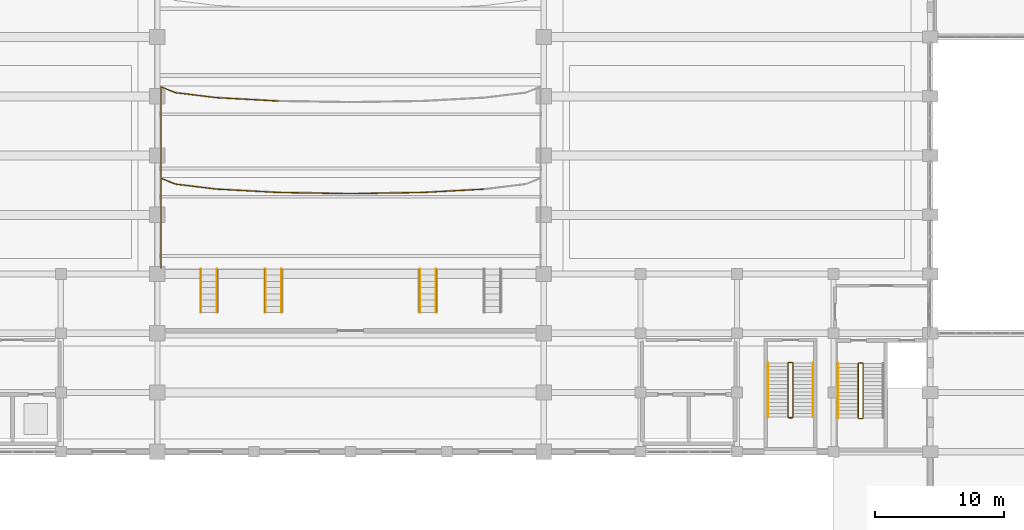
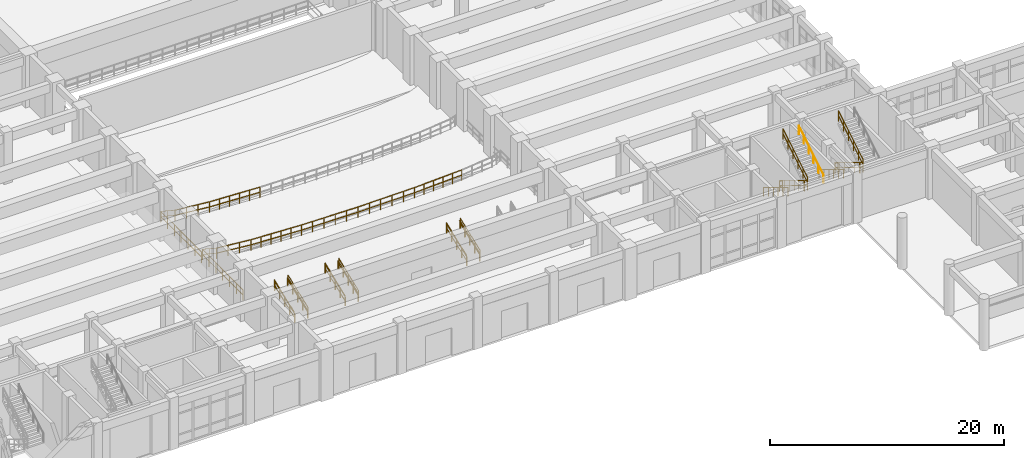
# One storey, part 78 of 84: 34 railings.
"""IFC4 building model written with IfcOpenShell, lengths in metres."""

import ifcopenshell
import ifcopenshell.guid

model = None  # the IFC model being written
_history = None  # IfcOwnerHistory: only IFC2X3 demands one
_inside = {}  # id of a spatial element -> (the spatial element, [elements in it])
_under = {}  # id of a project, library or spatial element -> (it, [spatial elements below it])
_declared = {}  # id of a project -> (the project, [libraries it declares])
_typed = {}  # id of a type object -> (the type object, [elements of that type])
_made_of = {}  # id of a material, layer set ... -> (it, [elements and type objects made of it])


def new_model(schema):
    """Start an empty IFC model of exactly this schema.

    Asked for "IFC4X3", IfcOpenShell would pick the latest addendum, in which some entities
    have other attributes; the version numbers below select the first issue.
    IFC2X3 requires an IfcOwnerHistory on every rooted entity: one is made here for all.
    """
    global model, _history
    if schema == "IFC4X3":
        model = ifcopenshell.file(schema_version=(4, 3, 0, 0))
    else:
        model = ifcopenshell.file(schema=schema)
    _inside.clear()
    _under.clear()
    _declared.clear()
    _typed.clear()
    _made_of.clear()
    _history = None
    if model.schema == "IFC2X3":
        org = make("IfcOrganization", Name="unknown")
        user = make(
            "IfcPersonAndOrganization",
            ThePerson=make("IfcPerson", FamilyName="unknown"),
            TheOrganization=org,
        )
        app = make(
            "IfcApplication",
            ApplicationDeveloper=org,
            Version="unknown",
            ApplicationFullName="unknown",
            ApplicationIdentifier="unknown",
        )
        _history = make(
            "IfcOwnerHistory",
            OwningUser=user,
            OwningApplication=app,
            ChangeAction="ADDED",
            CreationDate=0,
        )
    return model


def make(cls, **values):
    """One entity of the class cls with the attributes given. An attribute that is None is left unset."""
    return model.create_entity(
        cls, **{name: value for name, value in values.items() if value is not None}
    )


def rooted(cls, **values):
    """An entity with a GlobalId (a new one), such as an element, a storey or a relation."""
    return make(cls, GlobalId=ifcopenshell.guid.new(), OwnerHistory=_history, **values)


def si_unit(unit_type, name, prefix=None):
    """IfcSIUnit, for example si_unit("LENGTHUNIT", "METRE", prefix="MILLI")."""
    return make("IfcSIUnit", UnitType=unit_type, Prefix=prefix, Name=name)


def assignment(units):
    """IfcUnitAssignment: the units of a project."""
    return None if units is None else make("IfcUnitAssignment", Units=units)


def point(xyz):
    """IfcCartesianPoint."""
    return None if xyz is None else make("IfcCartesianPoint", Coordinates=xyz)


def direction(xyz):
    """IfcDirection."""
    return None if xyz is None else make("IfcDirection", DirectionRatios=xyz)


def frame(location, z_axis=None, x_axis=None):
    """IfcAxis2Placement3D, a coordinate frame: its origin and axes. An axis left out is left unset."""
    return make(
        "IfcAxis2Placement3D",
        Location=point(location),
        Axis=direction(z_axis),
        RefDirection=direction(x_axis),
    )


def frame_2d(location, x_axis=None):
    """IfcAxis2Placement2D, a coordinate frame in the plane: its origin and x axis."""
    return make(
        "IfcAxis2Placement2D", Location=point(location), RefDirection=direction(x_axis)
    )


def origin():
    """The frame at (0, 0, 0) with its axes left unset."""
    return frame((0.0, 0.0, 0.0))


def origin_2d():
    """The frame at (0, 0) in the plane with its x axis left unset."""
    return frame_2d((0.0, 0.0))


def place(relative_to, where):
    """IfcLocalPlacement: puts the frame where relative to a parent placement (None: the world)."""
    return make(
        "IfcLocalPlacement", PlacementRelTo=relative_to, RelativePlacement=where
    )


def context(
    kind, dimensions, precision=None, world=None, true_north=None, identifier=None
):
    """IfcGeometricRepresentationContext, for example the 3D "Model" context."""
    return make(
        "IfcGeometricRepresentationContext",
        ContextIdentifier=identifier,
        ContextType=kind,
        CoordinateSpaceDimension=dimensions,
        Precision=precision,
        WorldCoordinateSystem=world,
        TrueNorth=true_north,
    )


def subcontext(parent, identifier, kind, view, scale=None):
    """IfcGeometricRepresentationSubContext, for example "Body" below "Model"."""
    return make(
        "IfcGeometricRepresentationSubContext",
        ContextIdentifier=identifier,
        ContextType=kind,
        ParentContext=parent,
        TargetScale=scale,
        TargetView=view,
    )


def project(units=None, contexts=None):
    """IfcProject with its units and contexts."""
    return rooted(
        "IfcProject",
        Name="project",
        RepresentationContexts=contexts,
        UnitsInContext=assignment(units),
    )


def spatial(cls, under=None, at=None, **own):
    """A site, building, storey or space (cls), placed at a placement, below another one or the project."""
    s = rooted(cls, ObjectPlacement=at, **own)
    if under is not None:
        _under.setdefault(under.id(), (under, []))[1].append(s)
    return s


def profile(cls, at=None, kind="AREA", **sizes):
    """A parametric profile (cls). Its sizes go by their IFC names, for example OverallWidth=200.0."""
    return make(cls, ProfileType=kind, Position=at, **sizes)


def circle(**sizes):
    """IfcCircleProfileDef."""
    return profile("IfcCircleProfileDef", **sizes)


def extrude(swept, where, along, depth):
    """IfcExtrudedAreaSolid: the profile swept, set in the frame where, extruded along a direction by depth."""
    return make(
        "IfcExtrudedAreaSolid",
        SweptArea=swept,
        Position=where,
        ExtrudedDirection=direction(along),
        Depth=depth,
    )


def shape(context_of_items, identifier, shape_type, items):
    """IfcShapeRepresentation: the items that make up one representation, for example the "Body"."""
    return make(
        "IfcShapeRepresentation",
        ContextOfItems=context_of_items,
        RepresentationIdentifier=identifier,
        RepresentationType=shape_type,
        Items=items,
    )


def material(Name=None, Category=None):
    """IfcMaterial."""
    return make("IfcMaterial", Name=Name, Category=Category)


def made_of(thing, what):
    """Note that an element or type object is made of a material, layer set ...; save() writes the relation."""
    if what is not None:
        _made_of.setdefault(what.id(), (what, []))[1].append(thing)
    return thing


def type_object(cls, material=None, **own):
    """A type object (cls), such as IfcWallType, which elements share."""
    return made_of(rooted(cls, **own), material)


def element(
    cls,
    number,
    at=None,
    inside=None,
    cuts=None,
    type_object=None,
    material=None,
    context=None,
    identifier="Body",
    shape_type=None,
    held_by="IfcProductDefinitionShape",
    body=None,
    shapes=None,
    **own,
):
    """One element of the class cls, such as IfcWall. Its Tag is "e" and its number.

    at: its placement. inside: the storey or other place that contains it. cuts: it is an
    opening in that element (IfcRelVoidsElement). A single representation is given by context,
    identifier, shape_type and body (its items); several are given by shapes. held_by: the class
    of the entity that holds the representations. save() writes the other relations.
    """
    e = rooted(cls, Tag="e%d" % number, ObjectPlacement=at, **own)
    if body is not None:
        shapes = [shape(context, identifier, shape_type, body)]
    if shapes is not None:
        e.Representation = make(held_by, Representations=shapes)
    if inside is not None:
        _inside.setdefault(inside.id(), (inside, []))[1].append(e)
    if cuts is not None:
        rooted(
            "IfcRelVoidsElement", RelatingBuildingElement=cuts, RelatedOpeningElement=e
        )
    if type_object is not None:
        _typed.setdefault(type_object.id(), (type_object, []))[1].append(e)
    return made_of(e, material)


def aggregate(whole, parts):
    """IfcRelAggregates: a whole, such as a stair, and the parts it consists of."""
    return rooted("IfcRelAggregates", RelatingObject=whole, RelatedObjects=parts)


def save(model, path):
    """Write the relations noted so far, then the file.

    IfcRelAggregates (storeys below a building ...), IfcRelContainedInSpatialStructure (elements
    in a storey), IfcRelDefinesByType, IfcRelAssociatesMaterial and IfcRelDeclares: one each for
    every whole, place, type object, material and project.
    """
    for whole, parts in _under.values():
        aggregate(whole, parts)
    for where, things in _inside.values():
        rooted(
            "IfcRelContainedInSpatialStructure",
            RelatedElements=things,
            RelatingStructure=where,
        )
    for kind, things in _typed.values():
        rooted("IfcRelDefinesByType", RelatedObjects=things, RelatingType=kind)
    for what, things in _made_of.values():
        rooted("IfcRelAssociatesMaterial", RelatedObjects=things, RelatingMaterial=what)
    for by, libraries in _declared.values():
        rooted("IfcRelDeclares", RelatingContext=by, RelatedDefinitions=libraries)
    model.write(path)


model = new_model("IFC4")

# Units and contexts
model_context = context("Model", 3, precision=1e-05, world=origin(), true_north=direction((0.0, 1.0)))
body_context = subcontext(model_context, "Body", "Model", "MODEL_VIEW")
ifc_project = project(units=[si_unit("LENGTHUNIT", "METRE"), si_unit("AREAUNIT", "SQUARE_METRE"), si_unit("VOLUMEUNIT", "CUBIC_METRE"), si_unit("PLANEANGLEUNIT", "RADIAN"), si_unit("MASSUNIT", "GRAM", prefix="KILO")], contexts=[model_context])

# Site, building, storey
site_placement = place(None, origin())
site = spatial("IfcSite", under=ifc_project, at=site_placement, CompositionType="ELEMENT")
building_placement = place(site_placement, origin())
building = spatial("IfcBuilding", under=site, at=building_placement, Name="Muzn Square Opera House", CompositionType="ELEMENT")
storey_placement = place(building_placement, origin())
storey = spatial("IfcBuildingStorey", under=building, at=storey_placement, Name="L00", CompositionType="ELEMENT", Elevation=0.0)

# Railings
ifc_material_1 = material(Name="Architectural bronze mashrabiya", Category="metal")
railing_type_1 = type_object("IfcRailingType", Name="Bronze Protective Balustrade 1120mm", PredefinedType="BALUSTRADE", material=ifc_material_1)
railing_1_placement = place(storey_placement, frame((82.400146484375, 49.231201171875, 0.949951171875)))
element("IfcRailing", 1, at=railing_1_placement, inside=storey, type_object=railing_type_1, Name="Auditorium Balcony Tier Front Balustrade L00-0081", PredefinedType="BALUSTRADE", context=body_context, shape_type="SweptSolid", body=[
    extrude(circle(Radius=0.02392578125, at=origin_2d()), frame((0.0, 0.0, 1.09619140625), z_axis=(-0.998532339535, 0.054158719545, 0.0), x_axis=(-0.054158719545, -0.998532339535, 0.0)), (0.0, 0.0, 1.0), 4.805419921875),
    extrude(circle(Radius=0.02392578125, at=origin_2d()), frame((0.0, 0.0, 0.56005859375), z_axis=(-0.998532339535, 0.054158719545, 0.0), x_axis=(-0.054158719545, -0.998532339535, 0.0)), (0.0, 0.0, 1.0), 4.805419921875),
    extrude(circle(Radius=0.02099609375, at=origin_2d()), origin(), (0.0, 0.0, 1.0), 1.072021484375),
    extrude(circle(Radius=0.02099609375, at=origin_2d()), frame((-0.959716796875, 0.052001953125, 0.0)), (0.0, 0.0, 1.0), 1.072021484375),
    extrude(circle(Radius=0.02099609375, at=origin_2d()), frame((-1.91943359375, 0.10400390625, 0.0)), (0.0, 0.0, 1.0), 1.072021484375),
    extrude(circle(Radius=0.02099609375, at=origin_2d()), frame((-2.87890625, 0.15625, 0.0)), (0.0, 0.0, 1.0), 1.072021484375),
    extrude(circle(Radius=0.02099609375, at=origin_2d()), frame((-3.838623046875, 0.208251953125, 0.0)), (0.0, 0.0, 1.0), 1.072021484375),
    extrude(circle(Radius=0.02099609375, at=origin_2d()), frame((-4.79833984375, 0.26025390625, 0.0)), (0.0, 0.0, 1.0), 1.072021484375),
])
railing_2_placement = place(storey_placement, frame((77.601806640625, 49.491455078125, 0.949951171875)))
element("IfcRailing", 2, at=railing_2_placement, inside=storey, type_object=railing_type_1, Name="Auditorium Balcony Tier Front Balustrade L00-0082", PredefinedType="BALUSTRADE", context=body_context, shape_type="SweptSolid", body=[
    extrude(circle(Radius=0.02392578125, at=origin_2d()), frame((0.0, 0.0, 1.09619140625), z_axis=(-0.992704472677, 0.120572923692, 0.0), x_axis=(-0.120572923692, -0.992704472677, 0.0)), (0.0, 0.0, 1.0), 3.229736328125),
    extrude(circle(Radius=0.02392578125, at=origin_2d()), frame((0.0, 0.0, 0.56005859375), z_axis=(-0.992704472677, 0.120572923692, 0.0), x_axis=(-0.120572923692, -0.992704472677, 0.0)), (0.0, 0.0, 1.0), 3.229736328125),
    extrude(circle(Radius=0.02099609375, at=origin_2d()), origin(), (0.0, 0.0, 1.0), 1.072021484375),
    extrude(circle(Radius=0.02099609375, at=origin_2d()), frame((-1.068603515625, 0.1298828125, 0.0)), (0.0, 0.0, 1.0), 1.072021484375),
    extrude(circle(Radius=0.02099609375, at=origin_2d()), frame((-2.137451171875, 0.259521484375, 0.0)), (0.0, 0.0, 1.0), 1.072021484375),
    extrude(circle(Radius=0.02099609375, at=origin_2d()), frame((-3.2060546875, 0.389404296875, 0.0)), (0.0, 0.0, 1.0), 1.072021484375),
])
railing_3_placement = place(storey_placement, frame((74.395751953125, 49.880859375, 0.949951171875)))
element("IfcRailing", 3, at=railing_3_placement, inside=storey, type_object=railing_type_1, Name="Auditorium Balcony Tier Front Balustrade L00-0083", PredefinedType="BALUSTRADE", context=body_context, shape_type="SweptSolid", body=[
    extrude(circle(Radius=0.02392578125, at=origin_2d()), frame((0.0, 0.0, 1.09619140625), z_axis=(-0.925920751341, 0.377717834151, 0.0), x_axis=(-0.377717834151, -0.925920751341, 0.0)), (0.0, 0.0, 1.0), 1.2158203125),
    extrude(circle(Radius=0.02392578125, at=origin_2d()), frame((0.0, 0.0, 0.56005859375), z_axis=(-0.925920751341, 0.377717834151, 0.0), x_axis=(-0.377717834151, -0.925920751341, 0.0)), (0.0, 0.0, 1.0), 1.2158203125),
    extrude(circle(Radius=0.02099609375, at=origin_2d()), origin(), (0.0, 0.0, 1.0), 1.072021484375),
    extrude(circle(Radius=0.02099609375, at=origin_2d()), frame((-0.56298828125, 0.2294921875, 0.0)), (0.0, 0.0, 1.0), 1.072021484375),
    extrude(circle(Radius=0.02099609375, at=origin_2d()), frame((-1.125732421875, 0.459228515625, 0.0)), (0.0, 0.0, 1.0), 1.072021484375),
])
railing_4_placement = place(storey_placement, frame((73.27001953125, 50.340087890625, 0.949951171875)))
element("IfcRailing", 4, at=railing_4_placement, inside=storey, type_object=railing_type_1, Name="Auditorium Balcony Tier Front Balustrade L00-0084", PredefinedType="BALUSTRADE", context=body_context, shape_type="SweptSolid", body=[
    extrude(circle(Radius=0.02392578125, at=origin_2d()), frame((0.0, 0.0, 1.09619140625), z_axis=(0.0, -1.0, 0.0), x_axis=(1.0, 0.0, 0.0)), (0.0, 0.0, 1.0), 6.97998046875),
    extrude(circle(Radius=0.02392578125, at=origin_2d()), frame((0.0, 0.0, 0.56005859375), z_axis=(0.0, -1.0, 0.0), x_axis=(1.0, 0.0, 0.0)), (0.0, 0.0, 1.0), 6.97998046875),
    extrude(circle(Radius=0.02099609375, at=origin_2d()), origin(), (0.0, 0.0, 1.0), 1.072021484375),
    extrude(circle(Radius=0.02099609375, at=origin_2d()), frame((0.0, -1.163330078125, 0.0)), (0.0, 0.0, 1.0), 1.072021484375),
    extrude(circle(Radius=0.02099609375, at=origin_2d()), frame((0.0, -2.32666015625, 0.0)), (0.0, 0.0, 1.0), 1.072021484375),
    extrude(circle(Radius=0.02099609375, at=origin_2d()), frame((0.0, -3.489990234375, 0.0)), (0.0, 0.0, 1.0), 1.072021484375),
    extrude(circle(Radius=0.02099609375, at=origin_2d()), frame((0.0, -4.6533203125, 0.0)), (0.0, 0.0, 1.0), 1.072021484375),
    extrude(circle(Radius=0.02099609375, at=origin_2d()), frame((0.0, -5.816650390625, 0.0)), (0.0, 0.0, 1.0), 1.072021484375),
    extrude(circle(Radius=0.02099609375, at=origin_2d()), frame((0.0, -6.97998046875, 0.0)), (0.0, 0.0, 1.0), 1.072021484375),
])
railing_5_placement = place(storey_placement, frame((98.398193359375, 42.3916015625, 1.300048828125)))
element("IfcRailing", 5, at=railing_5_placement, inside=storey, type_object=railing_type_1, Name="Auditorium Balcony Tier Front Balustrade L00-0088", PredefinedType="BALUSTRADE", context=body_context, shape_type="SweptSolid", body=[
    extrude(circle(Radius=0.02392578125, at=origin_2d()), frame((0.0, 0.0, 1.09619140625), z_axis=(-0.998532339535, -0.054158719545, 0.0), x_axis=(0.054158719545, -0.998532339535, 0.0)), (0.0, 0.0, 1.0), 4.805419921875),
    extrude(circle(Radius=0.02392578125, at=origin_2d()), frame((0.0, 0.0, 0.56005859375), z_axis=(-0.998532339535, -0.054158719545, 0.0), x_axis=(0.054158719545, -0.998532339535, 0.0)), (0.0, 0.0, 1.0), 4.805419921875),
    extrude(circle(Radius=0.02099609375, at=origin_2d()), origin(), (0.0, 0.0, 1.0), 1.072021484375),
    extrude(circle(Radius=0.02099609375, at=origin_2d()), frame((-0.959716796875, -0.052001953125, 0.0)), (0.0, 0.0, 1.0), 1.072021484375),
    extrude(circle(Radius=0.02099609375, at=origin_2d()), frame((-1.91943359375, -0.10400390625, 0.0)), (0.0, 0.0, 1.0), 1.072021484375),
    extrude(circle(Radius=0.02099609375, at=origin_2d()), frame((-2.87890625, -0.15625, 0.0)), (0.0, 0.0, 1.0), 1.072021484375),
    extrude(circle(Radius=0.02099609375, at=origin_2d()), frame((-3.838623046875, -0.208251953125, 0.0)), (0.0, 0.0, 1.0), 1.072021484375),
    extrude(circle(Radius=0.02099609375, at=origin_2d()), frame((-4.79833984375, -0.26025390625, 0.0)), (0.0, 0.0, 1.0), 1.072021484375),
])
railing_6_placement = place(storey_placement, frame((93.599853515625, 42.13134765625, 1.300048828125)))
element("IfcRailing", 6, at=railing_6_placement, inside=storey, type_object=railing_type_1, Name="Auditorium Balcony Tier Front Balustrade L00-0089", PredefinedType="BALUSTRADE", context=body_context, shape_type="SweptSolid", body=[
    extrude(circle(Radius=0.02392578125, at=origin_2d()), frame((0.0, 0.0, 1.09619140625), z_axis=(-0.999869896441, -0.016130411995, 0.0), x_axis=(0.016130411995, -0.999869896441, 0.0)), (0.0, 0.0, 1.0), 5.66064453125),
    extrude(circle(Radius=0.02392578125, at=origin_2d()), frame((0.0, 0.0, 0.56005859375), z_axis=(-0.999869896441, -0.016130411995, 0.0), x_axis=(0.016130411995, -0.999869896441, 0.0)), (0.0, 0.0, 1.0), 5.66064453125),
    extrude(circle(Radius=0.02099609375, at=origin_2d()), origin(), (0.0, 0.0, 1.0), 1.072021484375),
    extrude(circle(Radius=0.02099609375, at=origin_2d()), frame((-1.132080078125, -0.018310546875, 0.0)), (0.0, 0.0, 1.0), 1.072021484375),
    extrude(circle(Radius=0.02099609375, at=origin_2d()), frame((-2.263916015625, -0.03662109375, 0.0)), (0.0, 0.0, 1.0), 1.072021484375),
    extrude(circle(Radius=0.02099609375, at=origin_2d()), frame((-3.39599609375, -0.0546875, 0.0)), (0.0, 0.0, 1.0), 1.072021484375),
    extrude(circle(Radius=0.02099609375, at=origin_2d()), frame((-4.52783203125, -0.072998046875, 0.0)), (0.0, 0.0, 1.0), 1.072021484375),
    extrude(circle(Radius=0.02099609375, at=origin_2d()), frame((-5.659912109375, -0.09130859375, 0.0)), (0.0, 0.0, 1.0), 1.072021484375),
])
railing_7_placement = place(storey_placement, frame((87.93994140625, 42.0400390625, 1.300048828125)))
element("IfcRailing", 7, at=railing_7_placement, inside=storey, type_object=railing_type_1, Name="Auditorium Balcony Tier Front Balustrade L00-0090", PredefinedType="BALUSTRADE", context=body_context, shape_type="SweptSolid", body=[
    extrude(circle(Radius=0.02392578125, at=origin_2d()), frame((0.0, 0.0, 1.09619140625), z_axis=(-0.999864194468, 0.016480067372, 0.0), x_axis=(-0.016480067372, -0.999864194468, 0.0)), (0.0, 0.0, 1.0), 5.54052734375),
    extrude(circle(Radius=0.02392578125, at=origin_2d()), frame((0.0, 0.0, 0.56005859375), z_axis=(-0.999864194468, 0.016480067372, 0.0), x_axis=(-0.016480067372, -0.999864194468, 0.0)), (0.0, 0.0, 1.0), 5.54052734375),
    extrude(circle(Radius=0.02099609375, at=origin_2d()), origin(), (0.0, 0.0, 1.0), 1.072021484375),
    extrude(circle(Radius=0.02099609375, at=origin_2d()), frame((-1.10791015625, 0.018310546875, 0.0)), (0.0, 0.0, 1.0), 1.072021484375),
    extrude(circle(Radius=0.02099609375, at=origin_2d()), frame((-2.2158203125, 0.03662109375, 0.0)), (0.0, 0.0, 1.0), 1.072021484375),
    extrude(circle(Radius=0.02099609375, at=origin_2d()), frame((-3.323974609375, 0.0546875, 0.0)), (0.0, 0.0, 1.0), 1.072021484375),
    extrude(circle(Radius=0.02099609375, at=origin_2d()), frame((-4.431884765625, 0.072998046875, 0.0)), (0.0, 0.0, 1.0), 1.072021484375),
    extrude(circle(Radius=0.02099609375, at=origin_2d()), frame((-5.539794921875, 0.09130859375, 0.0)), (0.0, 0.0, 1.0), 1.072021484375),
])
railing_8_placement = place(storey_placement, frame((82.400146484375, 42.13134765625, 1.300048828125)))
element("IfcRailing", 8, at=railing_8_placement, inside=storey, type_object=railing_type_1, Name="Auditorium Balcony Tier Front Balustrade L00-0091", PredefinedType="BALUSTRADE", context=body_context, shape_type="SweptSolid", body=[
    extrude(circle(Radius=0.02392578125, at=origin_2d()), frame((0.0, 0.0, 1.09619140625), z_axis=(-0.998532339535, 0.054158719545, 0.0), x_axis=(-0.054158719545, -0.998532339535, 0.0)), (0.0, 0.0, 1.0), 4.805419921875),
    extrude(circle(Radius=0.02392578125, at=origin_2d()), frame((0.0, 0.0, 0.56005859375), z_axis=(-0.998532339535, 0.054158719545, 0.0), x_axis=(-0.054158719545, -0.998532339535, 0.0)), (0.0, 0.0, 1.0), 4.805419921875),
    extrude(circle(Radius=0.02099609375, at=origin_2d()), origin(), (0.0, 0.0, 1.0), 1.072021484375),
    extrude(circle(Radius=0.02099609375, at=origin_2d()), frame((-0.959716796875, 0.052001953125, 0.0)), (0.0, 0.0, 1.0), 1.072021484375),
    extrude(circle(Radius=0.02099609375, at=origin_2d()), frame((-1.91943359375, 0.10400390625, 0.0)), (0.0, 0.0, 1.0), 1.072021484375),
    extrude(circle(Radius=0.02099609375, at=origin_2d()), frame((-2.87890625, 0.15625, 0.0)), (0.0, 0.0, 1.0), 1.072021484375),
    extrude(circle(Radius=0.02099609375, at=origin_2d()), frame((-3.838623046875, 0.208251953125, 0.0)), (0.0, 0.0, 1.0), 1.072021484375),
    extrude(circle(Radius=0.02099609375, at=origin_2d()), frame((-4.79833984375, 0.26025390625, 0.0)), (0.0, 0.0, 1.0), 1.072021484375),
])
railing_9_placement = place(storey_placement, frame((77.601806640625, 42.3916015625, 1.300048828125)))
element("IfcRailing", 9, at=railing_9_placement, inside=storey, type_object=railing_type_1, Name="Auditorium Balcony Tier Front Balustrade L00-0092", PredefinedType="BALUSTRADE", context=body_context, shape_type="SweptSolid", body=[
    extrude(circle(Radius=0.02392578125, at=origin_2d()), frame((0.0, 0.0, 1.09619140625), z_axis=(-0.992713518095, 0.120498427341, 0.0), x_axis=(-0.120498427341, -0.992713518095, 0.0)), (0.0, 0.0, 1.0), 3.2294921875),
    extrude(circle(Radius=0.02392578125, at=origin_2d()), frame((0.0, 0.0, 0.56005859375), z_axis=(-0.992713518095, 0.120498427341, 0.0), x_axis=(-0.120498427341, -0.992713518095, 0.0)), (0.0, 0.0, 1.0), 3.2294921875),
    extrude(circle(Radius=0.02099609375, at=origin_2d()), origin(), (0.0, 0.0, 1.0), 1.072021484375),
    extrude(circle(Radius=0.02099609375, at=origin_2d()), frame((-1.068603515625, 0.129638671875, 0.0)), (0.0, 0.0, 1.0), 1.072021484375),
    extrude(circle(Radius=0.02099609375, at=origin_2d()), frame((-2.137451171875, 0.259521484375, 0.0)), (0.0, 0.0, 1.0), 1.072021484375),
    extrude(circle(Radius=0.02099609375, at=origin_2d()), frame((-3.2060546875, 0.38916015625, 0.0)), (0.0, 0.0, 1.0), 1.072021484375),
])
railing_10_placement = place(storey_placement, frame((74.395751953125, 42.78076171875, 1.300048828125)))
element("IfcRailing", 10, at=railing_10_placement, inside=storey, type_object=railing_type_1, Name="Auditorium Balcony Tier Front Balustrade L00-0093", PredefinedType="BALUSTRADE", context=body_context, shape_type="SweptSolid", body=[
    extrude(circle(Radius=0.02392578125, at=origin_2d()), frame((0.0, 0.0, 1.09619140625), z_axis=(-0.925920751341, 0.377717834151, 0.0), x_axis=(-0.377717834151, -0.925920751341, 0.0)), (0.0, 0.0, 1.0), 1.2158203125),
    extrude(circle(Radius=0.02392578125, at=origin_2d()), frame((0.0, 0.0, 0.56005859375), z_axis=(-0.925920751341, 0.377717834151, 0.0), x_axis=(-0.377717834151, -0.925920751341, 0.0)), (0.0, 0.0, 1.0), 1.2158203125),
    extrude(circle(Radius=0.02099609375, at=origin_2d()), origin(), (0.0, 0.0, 1.0), 1.072021484375),
    extrude(circle(Radius=0.02099609375, at=origin_2d()), frame((-0.56298828125, 0.2294921875, 0.0)), (0.0, 0.0, 1.0), 1.072021484375),
    extrude(circle(Radius=0.02099609375, at=origin_2d()), frame((-1.125732421875, 0.459228515625, 0.0)), (0.0, 0.0, 1.0), 1.072021484375),
])
railing_11_placement = place(storey_placement, frame((73.27001953125, 43.239990234375, 1.300048828125)))
element("IfcRailing", 11, at=railing_11_placement, inside=storey, type_object=railing_type_1, Name="Auditorium Balcony Tier Front Balustrade L00-0094", PredefinedType="BALUSTRADE", context=body_context, shape_type="SweptSolid", body=[
    extrude(circle(Radius=0.02392578125, at=origin_2d()), frame((0.0, 0.0, 1.09619140625), z_axis=(0.0, -1.0, 0.0), x_axis=(1.0, 0.0, 0.0)), (0.0, 0.0, 1.0), 6.97998046875),
    extrude(circle(Radius=0.02392578125, at=origin_2d()), frame((0.0, 0.0, 0.56005859375), z_axis=(0.0, -1.0, 0.0), x_axis=(1.0, 0.0, 0.0)), (0.0, 0.0, 1.0), 6.97998046875),
    extrude(circle(Radius=0.02099609375, at=origin_2d()), origin(), (0.0, 0.0, 1.0), 1.072021484375),
    extrude(circle(Radius=0.02099609375, at=origin_2d()), frame((0.0, -1.163330078125, 0.0)), (0.0, 0.0, 1.0), 1.072021484375),
    extrude(circle(Radius=0.02099609375, at=origin_2d()), frame((0.0, -2.32666015625, 0.0)), (0.0, 0.0, 1.0), 1.072021484375),
    extrude(circle(Radius=0.02099609375, at=origin_2d()), frame((0.0, -3.489990234375, 0.0)), (0.0, 0.0, 1.0), 1.072021484375),
    extrude(circle(Radius=0.02099609375, at=origin_2d()), frame((0.0, -4.6533203125, 0.0)), (0.0, 0.0, 1.0), 1.072021484375),
    extrude(circle(Radius=0.02099609375, at=origin_2d()), frame((0.0, -5.816650390625, 0.0)), (0.0, 0.0, 1.0), 1.072021484375),
    extrude(circle(Radius=0.02099609375, at=origin_2d()), frame((0.0, -6.97998046875, 0.0)), (0.0, 0.0, 1.0), 1.072021484375),
])
ifc_material_2 = material(Name="Brushed stainless steel", Category="metal")
railing_type_2 = type_object("IfcRailingType", Name="Stair Guard Railing 1120mm", PredefinedType="GUARDRAIL", material=ifc_material_2)
railing_12_placement = place(storey_placement, frame((127.409912109375, 28.840087890625, 0.168701171875)))
element("IfcRailing", 12, at=railing_12_placement, inside=storey, type_object=railing_type_2, Name="L00 ST-4 stair guard 1", PredefinedType="GUARDRAIL", context=body_context, shape_type="SweptSolid", body=[
    extrude(circle(Radius=0.02392578125, at=origin_2d()), frame((0.0, 0.0, 1.076171875), z_axis=(0.0, -0.856489757249, 0.516164020179), x_axis=(1.0, 0.0, 0.0)), (0.0, 0.0, 1.0), 4.904052734375),
    extrude(circle(Radius=0.02392578125, at=origin_2d()), frame((0.0, 0.0, 0.550048828125), z_axis=(0.0, -0.856489757249, 0.516164020179), x_axis=(1.0, 0.0, 0.0)), (0.0, 0.0, 1.0), 4.904052734375),
    extrude(circle(Radius=0.02099609375, at=origin_2d()), origin(), (0.0, 0.0, 1.0), 1.052001953125),
    extrude(circle(Radius=0.02099609375, at=origin_2d()), frame((0.0, -0.840087890625, 0.50634765625)), (0.0, 0.0, 1.0), 1.052001953125),
    extrude(circle(Radius=0.02099609375, at=origin_2d()), frame((0.0, -1.68017578125, 1.012451171875)), (0.0, 0.0, 1.0), 1.052001953125),
    extrude(circle(Radius=0.02099609375, at=origin_2d()), frame((0.0, -2.52001953125, 1.518798828125)), (0.0, 0.0, 1.0), 1.052001953125),
    extrude(circle(Radius=0.02099609375, at=origin_2d()), frame((0.0, -3.360107421875, 2.02490234375)), (0.0, 0.0, 1.0), 1.052001953125),
    extrude(circle(Radius=0.02099609375, at=origin_2d()), frame((0.0, -4.2001953125, 2.53125)), (0.0, 0.0, 1.0), 1.052001953125),
])
railing_13_placement = place(storey_placement, frame((127.4599609375, 24.590087890625, 2.699951171875)))
element("IfcRailing", 13, at=railing_13_placement, inside=storey, type_object=railing_type_2, Name="L00 ST-4 stair guard 2", PredefinedType="GUARDRAIL", context=body_context, shape_type="SweptSolid", body=[
    extrude(circle(Radius=0.02392578125, at=origin_2d()), frame((0.0, 0.0, 1.076171875), z_axis=(1.0, 0.0, 0.0), x_axis=(0.0, 1.0, 0.0)), (0.0, 0.0, 1.0), 0.280029296875),
    extrude(circle(Radius=0.02392578125, at=origin_2d()), frame((0.0, 0.0, 0.550048828125), z_axis=(1.0, 0.0, 0.0), x_axis=(0.0, 1.0, 0.0)), (0.0, 0.0, 1.0), 0.280029296875),
    extrude(circle(Radius=0.02099609375, at=origin_2d()), origin(), (0.0, 0.0, 1.0), 1.052001953125),
    extrude(circle(Radius=0.02099609375, at=origin_2d()), frame((0.280029296875, 0.0, 0.0)), (0.0, 0.0, 1.0), 1.052001953125),
])
railing_14_placement = place(storey_placement, frame((127.7900390625, 24.639892578125, 2.86865234375)))
element("IfcRailing", 14, at=railing_14_placement, inside=storey, type_object=railing_type_2, Name="L00 ST-4 stair guard 3", PredefinedType="GUARDRAIL", context=body_context, shape_type="SweptSolid", body=[
    extrude(circle(Radius=0.02392578125, at=origin_2d()), frame((0.0, 0.0, 1.076171875), z_axis=(0.0, 0.856489757249, 0.516164020179), x_axis=(-1.0, 0.0, 0.0)), (0.0, 0.0, 1.0), 4.904052734375),
    extrude(circle(Radius=0.02392578125, at=origin_2d()), frame((0.0, 0.0, 0.550048828125), z_axis=(0.0, 0.856489757249, 0.516164020179), x_axis=(-1.0, 0.0, 0.0)), (0.0, 0.0, 1.0), 4.904052734375),
    extrude(circle(Radius=0.02099609375, at=origin_2d()), origin(), (0.0, 0.0, 1.0), 1.052001953125),
    extrude(circle(Radius=0.02099609375, at=origin_2d()), frame((0.0, 0.840087890625, 0.50634765625)), (0.0, 0.0, 1.0), 1.052001953125),
    extrude(circle(Radius=0.02099609375, at=origin_2d()), frame((0.0, 1.68017578125, 1.012451171875)), (0.0, 0.0, 1.0), 1.052001953125),
    extrude(circle(Radius=0.02099609375, at=origin_2d()), frame((0.0, 2.52001953125, 1.518798828125)), (0.0, 0.0, 1.0), 1.052001953125),
    extrude(circle(Radius=0.02099609375, at=origin_2d()), frame((0.0, 3.360107421875, 2.02490234375)), (0.0, 0.0, 1.0), 1.052001953125),
    extrude(circle(Radius=0.02099609375, at=origin_2d()), frame((0.0, 4.2001953125, 2.53125)), (0.0, 0.0, 1.0), 1.052001953125),
])
railing_15_placement = place(storey_placement, frame((127.4599609375, 28.889892578125, 0.0)))
element("IfcRailing", 15, at=railing_15_placement, inside=storey, type_object=railing_type_2, Name="L00 ST-4 stair guard 4", PredefinedType="GUARDRAIL", context=body_context, shape_type="SweptSolid", body=[
    extrude(circle(Radius=0.02392578125, at=origin_2d()), frame((0.0, 0.0, 1.076171875), z_axis=(1.0, 0.0, 0.0), x_axis=(0.0, 1.0, 0.0)), (0.0, 0.0, 1.0), 0.280029296875),
    extrude(circle(Radius=0.02392578125, at=origin_2d()), frame((0.0, 0.0, 0.550048828125), z_axis=(1.0, 0.0, 0.0), x_axis=(0.0, 1.0, 0.0)), (0.0, 0.0, 1.0), 0.280029296875),
    extrude(circle(Radius=0.02099609375, at=origin_2d()), origin(), (0.0, 0.0, 1.0), 1.052001953125),
    extrude(circle(Radius=0.02099609375, at=origin_2d()), frame((0.280029296875, 0.0, 0.0)), (0.0, 0.0, 1.0), 1.052001953125),
])
railing_16_placement = place(storey_placement, frame((121.9599609375, 28.889892578125, 0.168701171875)))
element("IfcRailing", 16, at=railing_16_placement, inside=storey, type_object=railing_type_2, Name="L00 ST-12 stair guard 1", PredefinedType="GUARDRAIL", context=body_context, shape_type="SweptSolid", body=[
    extrude(circle(Radius=0.02392578125, at=origin_2d()), frame((0.0, 0.0, 1.076171875), z_axis=(0.0, -0.856476492594, 0.516186030065), x_axis=(1.0, 0.0, 0.0)), (0.0, 0.0, 1.0), 4.90380859375),
    extrude(circle(Radius=0.02392578125, at=origin_2d()), frame((0.0, 0.0, 0.550048828125), z_axis=(0.0, -0.856476492594, 0.516186030065), x_axis=(1.0, 0.0, 0.0)), (0.0, 0.0, 1.0), 4.90380859375),
    extrude(circle(Radius=0.02099609375, at=origin_2d()), origin(), (0.0, 0.0, 1.0), 1.052001953125),
    extrude(circle(Radius=0.02099609375, at=origin_2d()), frame((0.0, -0.840087890625, 0.50634765625)), (0.0, 0.0, 1.0), 1.052001953125),
    extrude(circle(Radius=0.02099609375, at=origin_2d()), frame((0.0, -1.679931640625, 1.012451171875)), (0.0, 0.0, 1.0), 1.052001953125),
    extrude(circle(Radius=0.02099609375, at=origin_2d()), frame((0.0, -2.52001953125, 1.518798828125)), (0.0, 0.0, 1.0), 1.052001953125),
    extrude(circle(Radius=0.02099609375, at=origin_2d()), frame((0.0, -3.35986328125, 2.02490234375)), (0.0, 0.0, 1.0), 1.052001953125),
    extrude(circle(Radius=0.02099609375, at=origin_2d()), frame((0.0, -4.199951171875, 2.53125)), (0.0, 0.0, 1.0), 1.052001953125),
])
railing_17_placement = place(storey_placement, frame((122.010009765625, 24.639892578125, 2.699951171875)))
element("IfcRailing", 17, at=railing_17_placement, inside=storey, type_object=railing_type_2, Name="L00 ST-12 stair guard 2", PredefinedType="GUARDRAIL", context=body_context, shape_type="SweptSolid", body=[
    extrude(circle(Radius=0.02392578125, at=origin_2d()), frame((0.0, 0.0, 1.076171875), z_axis=(1.0, 0.0, 0.0), x_axis=(0.0, 1.0, 0.0)), (0.0, 0.0, 1.0), 0.280029296875),
    extrude(circle(Radius=0.02392578125, at=origin_2d()), frame((0.0, 0.0, 0.550048828125), z_axis=(1.0, 0.0, 0.0), x_axis=(0.0, 1.0, 0.0)), (0.0, 0.0, 1.0), 0.280029296875),
    extrude(circle(Radius=0.02099609375, at=origin_2d()), origin(), (0.0, 0.0, 1.0), 1.052001953125),
    extrude(circle(Radius=0.02099609375, at=origin_2d()), frame((0.280029296875, 0.0, 0.0)), (0.0, 0.0, 1.0), 1.052001953125),
])
railing_18_placement = place(storey_placement, frame((122.340087890625, 24.68994140625, 2.86865234375)))
element("IfcRailing", 18, at=railing_18_placement, inside=storey, type_object=railing_type_2, Name="L00 ST-12 stair guard 3", PredefinedType="GUARDRAIL", context=body_context, shape_type="SweptSolid", body=[
    extrude(circle(Radius=0.02392578125, at=origin_2d()), frame((0.0, 0.0, 1.076171875), z_axis=(0.0, 0.856476492594, 0.516186030065), x_axis=(-1.0, 0.0, 0.0)), (0.0, 0.0, 1.0), 4.90380859375),
    extrude(circle(Radius=0.02392578125, at=origin_2d()), frame((0.0, 0.0, 0.550048828125), z_axis=(0.0, 0.856476492594, 0.516186030065), x_axis=(-1.0, 0.0, 0.0)), (0.0, 0.0, 1.0), 4.90380859375),
    extrude(circle(Radius=0.02099609375, at=origin_2d()), origin(), (0.0, 0.0, 1.0), 1.052001953125),
    extrude(circle(Radius=0.02099609375, at=origin_2d()), frame((0.0, 0.840087890625, 0.50634765625)), (0.0, 0.0, 1.0), 1.052001953125),
    extrude(circle(Radius=0.02099609375, at=origin_2d()), frame((0.0, 1.679931640625, 1.012451171875)), (0.0, 0.0, 1.0), 1.052001953125),
    extrude(circle(Radius=0.02099609375, at=origin_2d()), frame((0.0, 2.52001953125, 1.518798828125)), (0.0, 0.0, 1.0), 1.052001953125),
    extrude(circle(Radius=0.02099609375, at=origin_2d()), frame((0.0, 3.35986328125, 2.02490234375)), (0.0, 0.0, 1.0), 1.052001953125),
    extrude(circle(Radius=0.02099609375, at=origin_2d()), frame((0.0, 4.199951171875, 2.53125)), (0.0, 0.0, 1.0), 1.052001953125),
])
railing_19_placement = place(storey_placement, frame((122.010009765625, 28.93994140625, 0.0)))
element("IfcRailing", 19, at=railing_19_placement, inside=storey, type_object=railing_type_2, Name="L00 ST-12 stair guard 4", PredefinedType="GUARDRAIL", context=body_context, shape_type="SweptSolid", body=[
    extrude(circle(Radius=0.02392578125, at=origin_2d()), frame((0.0, 0.0, 1.076171875), z_axis=(1.0, 0.0, 0.0), x_axis=(0.0, 1.0, 0.0)), (0.0, 0.0, 1.0), 0.280029296875),
    extrude(circle(Radius=0.02392578125, at=origin_2d()), frame((0.0, 0.0, 0.550048828125), z_axis=(1.0, 0.0, 0.0), x_axis=(0.0, 1.0, 0.0)), (0.0, 0.0, 1.0), 0.280029296875),
    extrude(circle(Radius=0.02099609375, at=origin_2d()), origin(), (0.0, 0.0, 1.0), 1.052001953125),
    extrude(circle(Radius=0.02099609375, at=origin_2d()), frame((0.280029296875, 0.0, 0.0)), (0.0, 0.0, 1.0), 1.052001953125),
])
for number, where, name in (
    (20, (76.320068359375, 32.800048828125, 0.0), "Vomitory Stair Guard VS-01-L"),
    (21, (77.679931640625, 32.800048828125, 0.0), "Vomitory Stair Guard VS-01-R"),
    (22, (81.320068359375, 32.800048828125, 0.0), "Vomitory Stair Guard VS-02-L"),
    (23, (82.679931640625, 32.800048828125, 0.0), "Vomitory Stair Guard VS-02-R"),
    (24, (93.320068359375, 32.800048828125, 0.0), "Vomitory Stair Guard VS-03-L"),
    (25, (94.679931640625, 32.800048828125, 0.0), "Vomitory Stair Guard VS-03-R"),
):
    element("IfcRailing", number, at=place(storey_placement, frame(where)), inside=storey, type_object=railing_type_2, Name=name, PredefinedType="GUARDRAIL", context=body_context, shape_type="SweptSolid", body=[
        extrude(circle(Radius=0.02392578125, at=origin_2d()), frame((0.0, 0.0, 1.09619140625), z_axis=(0.0, 0.93404393785, 0.357158119277), x_axis=(-1.0, 0.0, 0.0)), (0.0, 0.0, 1.0), 3.639892578125),
        extrude(circle(Radius=0.02392578125, at=origin_2d()), frame((0.0, 0.0, 0.56005859375), z_axis=(0.0, 0.93404393785, 0.357158119277), x_axis=(-1.0, 0.0, 0.0)), (0.0, 0.0, 1.0), 3.639892578125),
        extrude(circle(Radius=0.02099609375, at=origin_2d()), origin(), (0.0, 0.0, 1.0), 1.072021484375),
        extrude(circle(Radius=0.02099609375, at=origin_2d()), frame((0.0, 0.85009765625, 0.324951171875)), (0.0, 0.0, 1.0), 1.072021484375),
        extrude(circle(Radius=0.02099609375, at=origin_2d()), frame((0.0, 1.699951171875, 0.64990234375)), (0.0, 0.0, 1.0), 1.072021484375),
        extrude(circle(Radius=0.02099609375, at=origin_2d()), frame((0.0, 2.5498046875, 0.97509765625)), (0.0, 0.0, 1.0), 1.072021484375),
        extrude(circle(Radius=0.02099609375, at=origin_2d()), frame((0.0, 3.39990234375, 1.300048828125)), (0.0, 0.0, 1.0), 1.072021484375),
    ])
railing_type_3 = type_object("IfcRailingType", Name="Stair Pitch Handrail 900mm", PredefinedType="HANDRAIL", material=ifc_material_2)
railing_20_placement = place(storey_placement, frame((125.85009765625, 28.840087890625, 0.168701171875)))
element("IfcRailing", 26, at=railing_20_placement, inside=storey, type_object=railing_type_3, Name="L00 ST-4 stair handrail 1", PredefinedType="HANDRAIL", context=body_context, shape_type="SweptSolid", body=[
    extrude(circle(Radius=0.02392578125, at=origin_2d()), frame((0.0, 0.0, 0.8759765625), z_axis=(0.0, -0.856489757249, 0.516164020179), x_axis=(1.0, 0.0, 0.0)), (0.0, 0.0, 1.0), 4.904052734375),
    extrude(circle(Radius=0.02099609375, at=origin_2d()), origin(), (0.0, 0.0, 1.0), 0.851806640625),
    extrude(circle(Radius=0.02099609375, at=origin_2d()), frame((0.0, -0.840087890625, 0.50634765625)), (0.0, 0.0, 1.0), 0.851806640625),
    extrude(circle(Radius=0.02099609375, at=origin_2d()), frame((0.0, -1.68017578125, 1.012451171875)), (0.0, 0.0, 1.0), 0.851806640625),
    extrude(circle(Radius=0.02099609375, at=origin_2d()), frame((0.0, -2.52001953125, 1.518798828125)), (0.0, 0.0, 1.0), 0.851806640625),
    extrude(circle(Radius=0.02099609375, at=origin_2d()), frame((0.0, -3.360107421875, 2.02490234375)), (0.0, 0.0, 1.0), 0.851806640625),
    extrude(circle(Radius=0.02099609375, at=origin_2d()), frame((0.0, -4.2001953125, 2.53125)), (0.0, 0.0, 1.0), 0.851806640625),
])
railing_21_placement = place(storey_placement, frame((120.39990234375, 28.889892578125, 0.168701171875)))
element("IfcRailing", 27, at=railing_21_placement, inside=storey, type_object=railing_type_3, Name="L00 ST-12 stair handrail 1", PredefinedType="HANDRAIL", context=body_context, shape_type="SweptSolid", body=[
    extrude(circle(Radius=0.02392578125, at=origin_2d()), frame((0.0, 0.0, 0.8759765625), z_axis=(0.0, -0.856476492594, 0.516186030065), x_axis=(1.0, 0.0, 0.0)), (0.0, 0.0, 1.0), 4.90380859375),
    extrude(circle(Radius=0.02099609375, at=origin_2d()), origin(), (0.0, 0.0, 1.0), 0.851806640625),
    extrude(circle(Radius=0.02099609375, at=origin_2d()), frame((0.0, -0.840087890625, 0.50634765625)), (0.0, 0.0, 1.0), 0.851806640625),
    extrude(circle(Radius=0.02099609375, at=origin_2d()), frame((0.0, -1.679931640625, 1.012451171875)), (0.0, 0.0, 1.0), 0.851806640625),
    extrude(circle(Radius=0.02099609375, at=origin_2d()), frame((0.0, -2.52001953125, 1.518798828125)), (0.0, 0.0, 1.0), 0.851806640625),
    extrude(circle(Radius=0.02099609375, at=origin_2d()), frame((0.0, -3.35986328125, 2.02490234375)), (0.0, 0.0, 1.0), 0.851806640625),
    extrude(circle(Radius=0.02099609375, at=origin_2d()), frame((0.0, -4.199951171875, 2.53125)), (0.0, 0.0, 1.0), 0.851806640625),
])
railing_22_placement = place(storey_placement, frame((123.89990234375, 24.68994140625, 2.86865234375)))
element("IfcRailing", 28, at=railing_22_placement, inside=storey, type_object=railing_type_3, Name="L00 ST-12 stair handrail 2", PredefinedType="HANDRAIL", context=body_context, shape_type="SweptSolid", body=[
    extrude(circle(Radius=0.02392578125, at=origin_2d()), frame((0.0, 0.0, 0.8759765625), z_axis=(0.0, 0.856476492594, 0.516186030065), x_axis=(-1.0, 0.0, 0.0)), (0.0, 0.0, 1.0), 4.90380859375),
    extrude(circle(Radius=0.02099609375, at=origin_2d()), origin(), (0.0, 0.0, 1.0), 0.851806640625),
    extrude(circle(Radius=0.02099609375, at=origin_2d()), frame((0.0, 0.840087890625, 0.50634765625)), (0.0, 0.0, 1.0), 0.851806640625),
    extrude(circle(Radius=0.02099609375, at=origin_2d()), frame((0.0, 1.679931640625, 1.012451171875)), (0.0, 0.0, 1.0), 0.851806640625),
    extrude(circle(Radius=0.02099609375, at=origin_2d()), frame((0.0, 2.52001953125, 1.518798828125)), (0.0, 0.0, 1.0), 0.851806640625),
    extrude(circle(Radius=0.02099609375, at=origin_2d()), frame((0.0, 3.35986328125, 2.02490234375)), (0.0, 0.0, 1.0), 0.851806640625),
    extrude(circle(Radius=0.02099609375, at=origin_2d()), frame((0.0, 4.199951171875, 2.53125)), (0.0, 0.0, 1.0), 0.851806640625),
])
for number, where, name in (
    (29, (76.37451171875, 32.800048828125, 0.0), "Vomitory Stair Handrail VS-01-L"),
    (30, (77.62548828125, 32.800048828125, 0.0), "Vomitory Stair Handrail VS-01-R"),
    (31, (81.37451171875, 32.800048828125, 0.0), "Vomitory Stair Handrail VS-02-L"),
    (32, (82.62548828125, 32.800048828125, 0.0), "Vomitory Stair Handrail VS-02-R"),
    (33, (93.37451171875, 32.800048828125, 0.0), "Vomitory Stair Handrail VS-03-L"),
    (34, (94.62548828125, 32.800048828125, 0.0), "Vomitory Stair Handrail VS-03-R"),
):
    element("IfcRailing", number, at=place(storey_placement, frame(where)), inside=storey, type_object=railing_type_3, Name=name, PredefinedType="HANDRAIL", context=body_context, shape_type="SweptSolid", body=[
        extrude(circle(Radius=0.02392578125, at=origin_2d()), frame((0.0, 0.0, 0.8759765625), z_axis=(0.0, 0.93404393785, 0.357158119277), x_axis=(-1.0, 0.0, 0.0)), (0.0, 0.0, 1.0), 3.639892578125),
        extrude(circle(Radius=0.02099609375, at=origin_2d()), origin(), (0.0, 0.0, 1.0), 0.851806640625),
        extrude(circle(Radius=0.02099609375, at=origin_2d()), frame((0.0, 0.85009765625, 0.324951171875)), (0.0, 0.0, 1.0), 0.851806640625),
        extrude(circle(Radius=0.02099609375, at=origin_2d()), frame((0.0, 1.699951171875, 0.64990234375)), (0.0, 0.0, 1.0), 0.851806640625),
        extrude(circle(Radius=0.02099609375, at=origin_2d()), frame((0.0, 2.5498046875, 0.97509765625)), (0.0, 0.0, 1.0), 0.851806640625),
        extrude(circle(Radius=0.02099609375, at=origin_2d()), frame((0.0, 3.39990234375, 1.300048828125)), (0.0, 0.0, 1.0), 0.851806640625),
    ])

save(model, "model.ifc")
